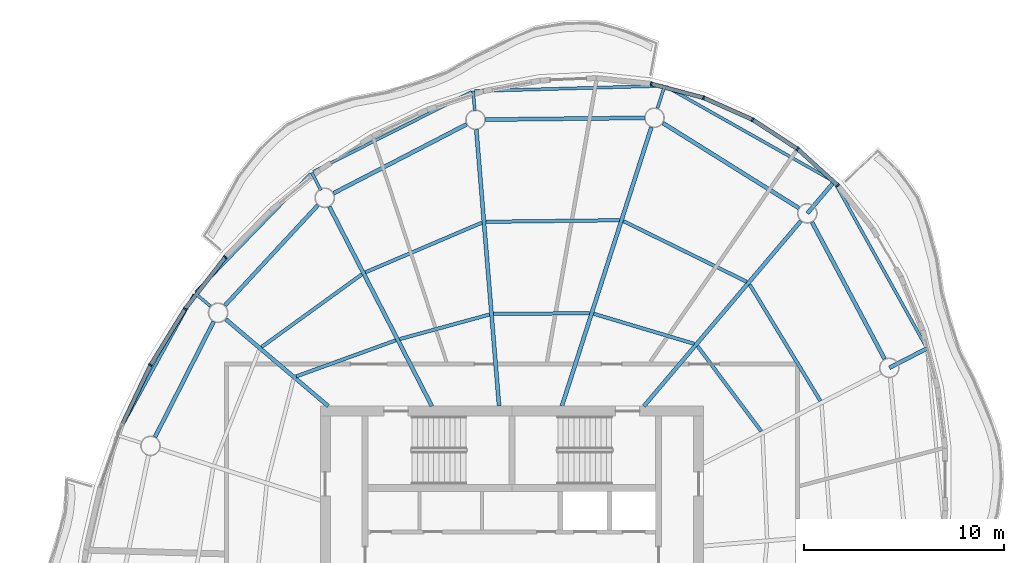
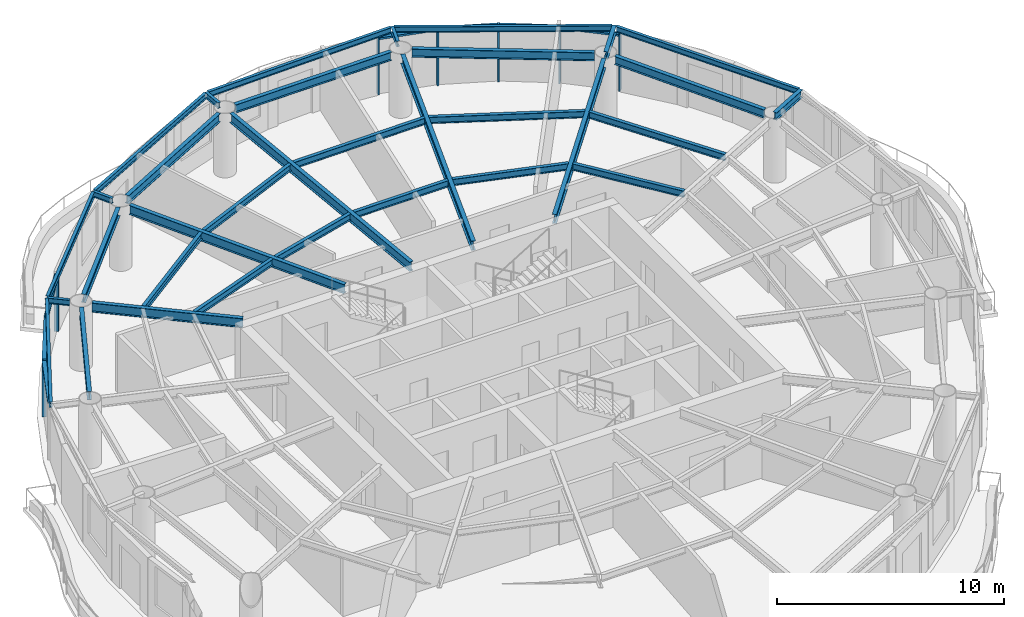
# One storey, part 5 of 13: 33 beams, 15 members, 7 elements without a shape of their own.
"""IFC4 building model written with IfcOpenShell, lengths in metres."""

from ifc_helpers import new_model, si_unit, direction, frame, origin, origin_2d, place, context, subcontext, project, spatial, rectangle, i_section, extrude, material, material_profile, profile_set, type_object, element, aggregate, save


model = new_model("IFC4")

# Units and contexts
model_context = context("Model", 3, precision=1e-05, world=origin(), true_north=direction((0.0, 1.0)))
body_context = subcontext(model_context, "Body", "Model", "MODEL_VIEW")
ifc_project = project(units=[si_unit("LENGTHUNIT", "METRE"), si_unit("AREAUNIT", "SQUARE_METRE"), si_unit("VOLUMEUNIT", "CUBIC_METRE"), si_unit("PLANEANGLEUNIT", "RADIAN"), si_unit("MASSUNIT", "GRAM", prefix="KILO")], contexts=[model_context])

# Site, building, storey
site_placement = place(None, origin())
site = spatial("IfcSite", under=ifc_project, at=site_placement, CompositionType="ELEMENT")
building_placement = place(site_placement, origin())
building = spatial("IfcBuilding", under=site, at=building_placement, Name="Vermilion Reach Broadcast Tower", CompositionType="ELEMENT")
storey_placement = place(building_placement, frame((0.0, 0.0, 279.300048828125)))
storey = spatial("IfcBuildingStorey", under=building, at=storey_placement, Name="L69", CompositionType="ELEMENT", Elevation=279.300048828125)

# Beams
ifc_material_1 = material(Name="Steel S355J2", Category="steel")
ifc_material_profile_1 = material_profile(ifc_material_1, i_section(OverallWidth=0.14990234375, OverallDepth=0.300048828125, WebThickness=0.006591796875, FlangeThickness=0.009033203125, at=origin_2d()), Name="S355J2 HN 300x150x6.5x9")
ifc_profile_set_1 = profile_set([ifc_material_profile_1], Name="Steel S355J2")
beam_type_1 = type_object("IfcBeamType", Name="EB5 HN 300x150x6.5x9", PredefinedType="BEAM", material=ifc_profile_set_1)
beam_1_placement = place(storey_placement, frame((1.572509765625, 23.84521484375, 3.300048828125), z_axis=(-0.999615933964, -0.027712534427, 0.0), x_axis=(0.027712534427, -0.999615933964, 0.0)))
element("IfcBeam", 1, at=beam_1_placement, inside=storey, type_object=beam_type_1, Name="Edge beam EB5-01", PredefinedType="BEAM", context=body_context, shape_type="SweptSolid", body=[
    extrude(i_section(OverallWidth=0.14990234375, OverallDepth=0.300048828125, WebThickness=0.006591796875, FlangeThickness=0.009033203125, at=origin_2d()), origin(), (0.0, 0.0, 1.0), 9.444091796875),
])
beam_2_placement = place(storey_placement, frame((-8.01513671875, 23.544921875, 3.300048828125), z_axis=(-0.892747421544, -0.450557478382, 0.0), x_axis=(0.450557478382, -0.892747421544, 0.0)))
element("IfcBeam", 2, at=beam_2_placement, inside=storey, type_object=beam_type_1, Name="Edge beam EB5-02", PredefinedType="BEAM", context=body_context, shape_type="SweptSolid", body=[
    extrude(i_section(OverallWidth=0.14990234375, OverallDepth=0.300048828125, WebThickness=0.006591796875, FlangeThickness=0.009033203125, at=origin_2d()), origin(), (0.0, 0.0, 1.0), 8.89892578125),
])
beam_3_placement = place(storey_placement, frame((-16.081787109375, 19.444580078125, 3.300048828125), z_axis=(-0.695900090225, -0.718138610872, 0.0), x_axis=(0.718138610872, -0.695900090225, 0.0)))
element("IfcBeam", 3, at=beam_3_placement, inside=storey, type_object=beam_type_1, Name="Edge beam EB5-03", PredefinedType="BEAM", context=body_context, shape_type="SweptSolid", body=[
    extrude(i_section(OverallWidth=0.14990234375, OverallDepth=0.300048828125, WebThickness=0.006591796875, FlangeThickness=0.009033203125, at=origin_2d()), origin(), (0.0, 0.0, 1.0), 8.255615234375),
])
beam_4_placement = place(storey_placement, frame((-21.916259765625, 13.394775390625, 3.300048828125), z_axis=(-0.481560900409, -0.87641263067, 0.0), x_axis=(0.87641263067, -0.481560900409, 0.0)))
element("IfcBeam", 4, at=beam_4_placement, inside=storey, type_object=beam_type_1, Name="Edge beam EB5-04", PredefinedType="BEAM", context=body_context, shape_type="SweptSolid", body=[
    extrude(i_section(OverallWidth=0.14990234375, OverallDepth=0.300048828125, WebThickness=0.006591796875, FlangeThickness=0.009033203125, at=origin_2d()), origin(), (0.0, 0.0, 1.0), 7.962646484375),
])
beam_5_placement = place(storey_placement, frame((14.74755859375, 10.77978515625, 3.300048828125), z_axis=(-0.486283254384, 0.87380123398, 0.0), x_axis=(-0.87380123398, -0.486283254384, 0.0)))
element("IfcBeam", 5, at=beam_5_placement, inside=storey, type_object=beam_type_1, Name="Edge beam EB5-15", PredefinedType="BEAM", context=body_context, shape_type="SweptSolid", body=[
    extrude(i_section(OverallWidth=0.14990234375, OverallDepth=0.300048828125, WebThickness=0.006591796875, FlangeThickness=0.009033203125, at=origin_2d()), origin(), (0.0, 0.0, 1.0), 9.353759765625),
])
beam_6_placement = place(storey_placement, frame((10.058349609375, 19.0966796875, 3.300048828125), z_axis=(-0.87059843742, 0.491994269034, 0.0), x_axis=(-0.491994269034, -0.87059843742, 0.0)))
element("IfcBeam", 6, at=beam_6_placement, inside=storey, type_object=beam_type_1, Name="Edge beam EB5-16", PredefinedType="BEAM", context=body_context, shape_type="SweptSolid", body=[
    extrude(i_section(OverallWidth=0.14990234375, OverallDepth=0.300048828125, WebThickness=0.006591796875, FlangeThickness=0.009033203125, at=origin_2d()), origin(), (0.0, 0.0, 1.0), 9.5791015625),
])
ifc_material_2 = material(Name="Steel S355J2", Category="steel")
ifc_material_profile_2 = material_profile(ifc_material_2, i_section(OverallWidth=0.199951171875, OverallDepth=0.5, WebThickness=0.010009765625, FlangeThickness=0.01611328125, at=origin_2d()), Name="S355J2 HN 500x200x10x16")
ifc_profile_set_2 = profile_set([ifc_material_profile_2], Name="Steel S355J2")
beam_type_2 = type_object("IfcBeamType", Name="G5 HN 500x200x10x16", PredefinedType="BEAM", material=ifc_profile_set_2)
beam_7_placement = place(storey_placement, frame((-3.497314453125, 7.800048828125, 3.199951171875), z_axis=(0.305545401295, 0.952177508528, 0.0), x_axis=(-0.952177508528, 0.305545401295, 0.0)))
element("IfcBeam", 7, at=beam_7_placement, inside=storey, type_object=beam_type_2, Name="Girder G5-01", PredefinedType="BEAM", context=body_context, shape_type="SweptSolid", body=[
    extrude(i_section(OverallWidth=0.199951171875, OverallDepth=0.5, WebThickness=0.010009765625, FlangeThickness=0.01611328125, at=origin_2d()), origin(), (0.0, 0.0, 1.0), 14.672607421875),
])
beam_8_placement = place(storey_placement, frame((-6.642578125, 7.800048828125, 3.199951171875), z_axis=(-0.082123744247, 0.996622140347, 0.0), x_axis=(-0.996622140347, -0.082123744247, 0.0)))
element("IfcBeam", 8, at=beam_8_placement, inside=storey, type_object=beam_type_2, Name="Girder G5-02", PredefinedType="BEAM", context=body_context, shape_type="SweptSolid", body=[
    extrude(i_section(OverallWidth=0.199951171875, OverallDepth=0.5, WebThickness=0.010009765625, FlangeThickness=0.01611328125, at=origin_2d()), origin(), (0.0, 0.0, 1.0), 13.89794921875),
])
beam_9_placement = place(storey_placement, frame((-10.010498046875, 7.800048828125, 3.199951171875), z_axis=(-0.457258168112, 0.889334002327, 0.0), x_axis=(-0.889334002327, -0.457258168112, 0.0)))
element("IfcBeam", 9, at=beam_9_placement, inside=storey, type_object=beam_type_2, Name="Girder G5-03", PredefinedType="BEAM", context=body_context, shape_type="SweptSolid", body=[
    extrude(i_section(OverallWidth=0.199951171875, OverallDepth=0.5, WebThickness=0.010009765625, FlangeThickness=0.01611328125, at=origin_2d()), origin(), (0.0, 0.0, 1.0), 11.236328125),
])
beam_10_placement = place(storey_placement, frame((-15.20068359375, 7.800048828125, 3.199951171875), z_axis=(-0.762793125612, 0.646642596431, 0.0), x_axis=(-0.646642596431, -0.762793125612, 0.0)))
element("IfcBeam", 10, at=beam_10_placement, inside=storey, type_object=beam_type_2, Name="Girder G5-04", PredefinedType="BEAM", context=body_context, shape_type="SweptSolid", body=[
    extrude(i_section(OverallWidth=0.199951171875, OverallDepth=0.5, WebThickness=0.010009765625, FlangeThickness=0.01611328125, at=origin_2d()), origin(), (0.0, 0.0, 1.0), 6.732421875),
])
beam_11_placement = place(storey_placement, frame((0.612548828125, 7.800048828125, 3.199951171875), z_axis=(0.646658335602, 0.762779782766, 0.0), x_axis=(-0.762779782766, 0.646658335602, 0.0)))
element("IfcBeam", 11, at=beam_11_placement, inside=storey, type_object=beam_type_2, Name="Girder G5-16", PredefinedType="BEAM", context=body_context, shape_type="SweptSolid", body=[
    extrude(i_section(OverallWidth=0.199951171875, OverallDepth=0.5, WebThickness=0.010009765625, FlangeThickness=0.01611328125, at=origin_2d()), origin(), (0.0, 0.0, 1.0), 12.16064453125),
])
ifc_material_3 = material(Name="Steel S355J2", Category="steel")
ifc_material_profile_3 = material_profile(ifc_material_3, i_section(OverallWidth=0.199951171875, OverallDepth=0.39990234375, WebThickness=0.008056640625, FlangeThickness=0.012939453125, at=origin_2d()), Name="S355J2 HN 400x200x8x13")
ifc_profile_set_3 = profile_set([ifc_material_profile_3], Name="Steel S355J2")
beam_type_3 = type_object("IfcBeamType", Name="GC5 HN 400x200x8x13", PredefinedType="BEAM", material=ifc_profile_set_3)
beam_12_placement = place(storey_placement, frame((12.905517578125, 9.72021484375, 3.25), z_axis=(0.889341170054, 0.457244227134, 0.0), x_axis=(-0.457244227134, 0.889341170054, 0.0)))
element("IfcBeam", 12, at=beam_12_placement, inside=storey, type_object=beam_type_3, Name="Cantilever girder GC5-15", PredefinedType="BEAM", context=body_context, shape_type="SweptSolid", body=[
    extrude(i_section(OverallWidth=0.199951171875, OverallDepth=0.39990234375, WebThickness=0.008056640625, FlangeThickness=0.012939453125, at=origin_2d()), origin(), (0.0, 0.0, 1.0), 2.126220703125),
])
beam_13_placement = place(storey_placement, frame((8.799560546875, 17.457275390625, 3.25), z_axis=(0.646661540253, 0.762777065962, 0.0), x_axis=(-0.762777065962, 0.646661540253, 0.0)))
element("IfcBeam", 13, at=beam_13_placement, inside=storey, type_object=beam_type_3, Name="Cantilever girder GC5-16", PredefinedType="BEAM", context=body_context, shape_type="SweptSolid", body=[
    extrude(i_section(OverallWidth=0.199951171875, OverallDepth=0.39990234375, WebThickness=0.008056640625, FlangeThickness=0.012939453125, at=origin_2d()), origin(), (0.0, 0.0, 1.0), 2.083740234375),
])
ifc_material_4 = material(Name="Steel S355J2", Category="steel")
ifc_material_profile_4 = material_profile(ifc_material_4, i_section(OverallWidth=0.14990234375, OverallDepth=0.300048828125, WebThickness=0.006591796875, FlangeThickness=0.009033203125, at=origin_2d()), Name="S355J2 HN 300x150x6.5x9")
ifc_profile_set_4 = profile_set([ifc_material_profile_4], Name="Steel S355J2")
beam_type_4 = type_object("IfcBeamType", Name="GS5 HN 300x150x6.5x9", PredefinedType="BEAM", material=ifc_profile_set_4)
beam_14_placement = place(storey_placement, frame((1.291259765625, 22.72314453125, 3.300048828125), z_axis=(0.305413404143, 0.952219855165, 0.0), x_axis=(-0.952219855165, 0.305413404143, 0.0)))
element("IfcBeam", 14, at=beam_14_placement, inside=storey, type_object=beam_type_4, Name="Cantilever stub GS5-01", PredefinedType="BEAM", context=body_context, shape_type="SweptSolid", body=[
    extrude(i_section(OverallWidth=0.14990234375, OverallDepth=0.300048828125, WebThickness=0.006591796875, FlangeThickness=0.009033203125, at=origin_2d()), origin(), (0.0, 0.0, 1.0), 1.1806640625),
])
beam_15_placement = place(storey_placement, frame((-7.86083984375, 22.584716796875, 3.300048828125), z_axis=(-0.082035152054, 0.996629436565, 0.0), x_axis=(-0.996629436565, -0.082035152054, 0.0)))
element("IfcBeam", 15, at=beam_15_placement, inside=storey, type_object=beam_type_4, Name="Cantilever stub GS5-02", PredefinedType="BEAM", context=body_context, shape_type="SweptSolid", body=[
    extrude(i_section(OverallWidth=0.14990234375, OverallDepth=0.300048828125, WebThickness=0.006591796875, FlangeThickness=0.009033203125, at=origin_2d()), origin(), (0.0, 0.0, 1.0), 1.0),
])
beam_16_placement = place(storey_placement, frame((-15.569580078125, 18.6123046875, 3.300048828125), z_axis=(-0.457342495391, 0.889290639729, 0.0), x_axis=(-0.889290639729, -0.457342495391, 0.0)))
element("IfcBeam", 16, at=beam_16_placement, inside=storey, type_object=beam_type_4, Name="Cantilever stub GS5-03", PredefinedType="BEAM", context=body_context, shape_type="SweptSolid", body=[
    extrude(i_section(OverallWidth=0.14990234375, OverallDepth=0.300048828125, WebThickness=0.006591796875, FlangeThickness=0.009033203125, at=origin_2d()), origin(), (0.0, 0.0, 1.0), 0.999755859375),
])
beam_17_placement = place(storey_placement, frame((-21.098876953125, 12.80029296875, 3.300048828125), z_axis=(-0.762815807561, 0.646615839378, 0.0), x_axis=(-0.646615839378, -0.762815807561, 0.0)))
element("IfcBeam", 17, at=beam_17_placement, inside=storey, type_object=beam_type_4, Name="Cantilever stub GS5-04", PredefinedType="BEAM", context=body_context, shape_type="SweptSolid", body=[
    extrude(i_section(OverallWidth=0.14990234375, OverallDepth=0.300048828125, WebThickness=0.006591796875, FlangeThickness=0.009033203125, at=origin_2d()), origin(), (0.0, 0.0, 1.0), 1.023193359375),
])
ifc_material_5 = material(Name="Steel S355J2", Category="steel")
ifc_material_profile_5 = material_profile(ifc_material_5, i_section(OverallWidth=0.199951171875, OverallDepth=0.449951171875, WebThickness=0.009033203125, FlangeThickness=0.013916015625, at=origin_2d()), Name="S355J2 HN 450x200x9x14")
ifc_profile_set_5 = profile_set([ifc_material_profile_5], Name="Steel S355J2")
beam_type_5 = type_object("IfcBeamType", Name="RB5 HN 450x200x9x14", PredefinedType="BEAM", material=ifc_profile_set_5)
beam_18_placement = place(storey_placement, frame((0.638427734375, 22.24169921875, 3.224853515625), z_axis=(-0.999940445231, -0.010913569149, 0.0), x_axis=(0.010913569149, -0.999940445231, 0.0)))
element("IfcBeam", 18, at=beam_18_placement, inside=storey, type_object=beam_type_5, Name="Ring beam RB5-01", PredefinedType="BEAM", context=body_context, shape_type="SweptSolid", body=[
    extrude(i_section(OverallWidth=0.199951171875, OverallDepth=0.449951171875, WebThickness=0.009033203125, FlangeThickness=0.013916015625, at=origin_2d()), origin(), (0.0, 0.0, 1.0), 7.9638671875),
])
beam_19_placement = place(storey_placement, frame((-8.268798828125, 21.91943359375, 3.224853515625), z_axis=(-0.887960248279, -0.459920207729, 0.0), x_axis=(0.459920207729, -0.887960248279, 0.0)))
element("IfcBeam", 19, at=beam_19_placement, inside=storey, type_object=beam_type_5, Name="Ring beam RB5-02", PredefinedType="BEAM", context=body_context, shape_type="SweptSolid", body=[
    extrude(i_section(OverallWidth=0.199951171875, OverallDepth=0.449951171875, WebThickness=0.009033203125, FlangeThickness=0.013916015625, at=origin_2d()), origin(), (0.0, 0.0, 1.0), 7.5048828125),
])
beam_20_placement = place(storey_placement, frame((-15.716796875, 17.87109375, 3.224853515625), z_axis=(-0.679837550075, -0.733362738014, 0.0), x_axis=(0.733362738014, -0.679837550075, 0.0)))
element("IfcBeam", 20, at=beam_20_placement, inside=storey, type_object=beam_type_5, Name="Ring beam RB5-03", PredefinedType="BEAM", context=body_context, shape_type="SweptSolid", body=[
    extrude(i_section(OverallWidth=0.199951171875, OverallDepth=0.449951171875, WebThickness=0.009033203125, FlangeThickness=0.013916015625, at=origin_2d()), origin(), (0.0, 0.0, 1.0), 6.85546875),
])
beam_21_placement = place(storey_placement, frame((-20.944091796875, 12.03125, 3.224853515625), z_axis=(-0.453052302855, -0.891483937532, 0.0), x_axis=(0.891483937532, -0.453052302855, 0.0)))
element("IfcBeam", 21, at=beam_21_placement, inside=storey, type_object=beam_type_5, Name="Ring beam RB5-04", PredefinedType="BEAM", context=body_context, shape_type="SweptSolid", body=[
    extrude(i_section(OverallWidth=0.199951171875, OverallDepth=0.449951171875, WebThickness=0.009033203125, FlangeThickness=0.013916015625, at=origin_2d()), origin(), (0.0, 0.0, 1.0), 6.47900390625),
])
beam_22_placement = place(storey_placement, frame((12.671142578125, 10.161865234375, 3.224853515625), z_axis=(-0.468767917375, 0.883321368269, 0.0), x_axis=(-0.883321368269, -0.468767917375, 0.0)))
element("IfcBeam", 22, at=beam_22_placement, inside=storey, type_object=beam_type_5, Name="Ring beam RB5-15", PredefinedType="BEAM", context=body_context, shape_type="SweptSolid", body=[
    extrude(i_section(OverallWidth=0.199951171875, OverallDepth=0.449951171875, WebThickness=0.009033203125, FlangeThickness=0.013916015625, at=origin_2d()), origin(), (0.0, 0.0, 1.0), 7.759033203125),
])
beam_23_placement = place(storey_placement, frame((8.375732421875, 17.722412109375, 3.224853515625), z_axis=(-0.847914653245, 0.530132757724, 0.0), x_axis=(-0.530132757724, -0.847914653245, 0.0)))
element("IfcBeam", 23, at=beam_23_placement, inside=storey, type_object=beam_type_5, Name="Ring beam RB5-16", PredefinedType="BEAM", context=body_context, shape_type="SweptSolid", body=[
    extrude(i_section(OverallWidth=0.199951171875, OverallDepth=0.449951171875, WebThickness=0.009033203125, FlangeThickness=0.013916015625, at=origin_2d()), origin(), (0.0, 0.0, 1.0), 8.035400390625),
])
ifc_material_6 = material(Name="Steel S355J2", Category="steel")
ifc_material_profile_6 = material_profile(ifc_material_6, i_section(OverallWidth=0.175048828125, OverallDepth=0.35009765625, WebThickness=0.007080078125, FlangeThickness=0.010986328125, at=origin_2d()), Name="S355J2 HN 350x175x7x11")
ifc_profile_set_6 = profile_set([ifc_material_profile_6], Name="Steel S355J2")
beam_type_6 = type_object("IfcBeamType", Name="SB5 HN 350x175x7x11", PredefinedType="BEAM", material=ifc_profile_set_6)
beam_24_placement = place(storey_placement, frame((-2.108154296875, 12.4560546875, 3.27490234375), z_axis=(-0.999968312294, -0.007960804474, 0.0), x_axis=(0.007960804474, -0.999968312294, 0.0)))
element("IfcBeam", 24, at=beam_24_placement, inside=storey, type_object=beam_type_6, Name="Secondary beam SB5-01-1", PredefinedType="BEAM", context=body_context, shape_type="SweptSolid", body=[
    extrude(i_section(OverallWidth=0.175048828125, OverallDepth=0.35009765625, WebThickness=0.007080078125, FlangeThickness=0.010986328125, at=origin_2d()), origin(), (0.0, 0.0, 1.0), 4.81494140625),
])
beam_25_placement = place(storey_placement, frame((-0.614013671875, 17.11279296875, 3.27490234375), z_axis=(-0.999932654133, -0.011605481368, 0.0), x_axis=(0.011605481368, -0.999932654133, 0.0)))
element("IfcBeam", 25, at=beam_25_placement, inside=storey, type_object=beam_type_6, Name="Secondary beam SB5-01-2", PredefinedType="BEAM", context=body_context, shape_type="SweptSolid", body=[
    extrude(i_section(OverallWidth=0.175048828125, OverallDepth=0.35009765625, WebThickness=0.007080078125, FlangeThickness=0.010986328125, at=origin_2d()), origin(), (0.0, 0.0, 1.0), 6.689697265625),
])
beam_26_placement = place(storey_placement, frame((-7.12109375, 12.39013671875, 3.27490234375), z_axis=(-0.964547496851, -0.263909314573, 0.0), x_axis=(0.263909314573, -0.964547496851, 0.0)))
element("IfcBeam", 26, at=beam_26_placement, inside=storey, type_object=beam_type_6, Name="Secondary beam SB5-02-1", PredefinedType="BEAM", context=body_context, shape_type="SweptSolid", body=[
    extrude(i_section(OverallWidth=0.175048828125, OverallDepth=0.35009765625, WebThickness=0.007080078125, FlangeThickness=0.010986328125, at=origin_2d()), origin(), (0.0, 0.0, 1.0), 4.6689453125),
])
beam_27_placement = place(storey_placement, frame((-7.50048828125, 16.99267578125, 3.27490234375), z_axis=(-0.919880986172, -0.392197617637, 0.0), x_axis=(0.392197617637, -0.919880986172, 0.0)))
element("IfcBeam", 27, at=beam_27_placement, inside=storey, type_object=beam_type_6, Name="Secondary beam SB5-02-2", PredefinedType="BEAM", context=body_context, shape_type="SweptSolid", body=[
    extrude(i_section(OverallWidth=0.175048828125, OverallDepth=0.35009765625, WebThickness=0.007080078125, FlangeThickness=0.010986328125, at=origin_2d()), origin(), (0.0, 0.0, 1.0), 6.351806640625),
])
beam_28_placement = place(storey_placement, frame((-11.81787109375, 11.0966796875, 3.27490234375), z_axis=(-0.940220108875, -0.340567389613, 0.0), x_axis=(0.340567389613, -0.940220108875, 0.0)))
element("IfcBeam", 28, at=beam_28_placement, inside=storey, type_object=beam_type_6, Name="Secondary beam SB5-03-1", PredefinedType="BEAM", context=body_context, shape_type="SweptSolid", body=[
    extrude(i_section(OverallWidth=0.175048828125, OverallDepth=0.35009765625, WebThickness=0.007080078125, FlangeThickness=0.010986328125, at=origin_2d()), origin(), (0.0, 0.0, 1.0), 5.303466796875),
])
beam_29_placement = place(storey_placement, frame((-13.517578125, 14.402587890625, 3.27490234375), z_axis=(-0.809771251518, -0.586745703192, 0.0), x_axis=(0.586745703192, -0.809771251518, 0.0)))
element("IfcBeam", 29, at=beam_29_placement, inside=storey, type_object=beam_type_6, Name="Secondary beam SB5-03-2", PredefinedType="BEAM", context=body_context, shape_type="SweptSolid", body=[
    extrude(i_section(OverallWidth=0.175048828125, OverallDepth=0.35009765625, WebThickness=0.007080078125, FlangeThickness=0.010986328125, at=origin_2d()), origin(), (0.0, 0.0, 1.0), 6.20361328125),
])
beam_30_placement = place(storey_placement, frame((6.492919921875, 6.53564453125, 3.27490234375), z_axis=(-0.599055582645, 0.800707442767, 0.0), x_axis=(-0.800707442767, -0.599055582645, 0.0)))
element("IfcBeam", 30, at=beam_30_placement, inside=storey, type_object=beam_type_6, Name="Secondary beam SB5-15-1", PredefinedType="BEAM", context=body_context, shape_type="SweptSolid", body=[
    extrude(i_section(OverallWidth=0.175048828125, OverallDepth=0.35009765625, WebThickness=0.007080078125, FlangeThickness=0.010986328125, at=origin_2d()), origin(), (0.0, 0.0, 1.0), 5.337890625),
])
beam_31_placement = place(storey_placement, frame((9.455078125, 8.058837890625, 3.27490234375), z_axis=(-0.519272962556, 0.854608442714, 0.0), x_axis=(-0.854608442714, -0.519272962556, 0.0)))
element("IfcBeam", 31, at=beam_31_placement, inside=storey, type_object=beam_type_6, Name="Secondary beam SB5-15-2", PredefinedType="BEAM", context=body_context, shape_type="SweptSolid", body=[
    extrude(i_section(OverallWidth=0.175048828125, OverallDepth=0.35009765625, WebThickness=0.007080078125, FlangeThickness=0.010986328125, at=origin_2d()), origin(), (0.0, 0.0, 1.0), 6.82763671875),
])
beam_32_placement = place(storey_placement, frame((3.129150390625, 10.92333984375, 3.27490234375), z_axis=(-0.958124906971, 0.286350593925, 0.0), x_axis=(-0.286350593925, -0.958124906971, 0.0)))
element("IfcBeam", 32, at=beam_32_placement, inside=storey, type_object=beam_type_6, Name="Secondary beam SB5-16-1", PredefinedType="BEAM", context=body_context, shape_type="SweptSolid", body=[
    extrude(i_section(OverallWidth=0.175048828125, OverallDepth=0.35009765625, WebThickness=0.007080078125, FlangeThickness=0.010986328125, at=origin_2d()), origin(), (0.0, 0.0, 1.0), 5.25634765625),
])
beam_33_placement = place(storey_placement, frame((5.762451171875, 14.029541015625, 3.27490234375), z_axis=(-0.897335928087, 0.441348198325, 0.0), x_axis=(-0.441348198325, -0.897335928087, 0.0)))
element("IfcBeam", 33, at=beam_33_placement, inside=storey, type_object=beam_type_6, Name="Secondary beam SB5-16-2", PredefinedType="BEAM", context=body_context, shape_type="SweptSolid", body=[
    extrude(i_section(OverallWidth=0.175048828125, OverallDepth=0.35009765625, WebThickness=0.007080078125, FlangeThickness=0.010986328125, at=origin_2d()), origin(), (0.0, 0.0, 1.0), 6.887451171875),
])

# Curtain wall, member
ifc_material_7 = material(Name="Low-e laminated clear glass in aluminium frame", Category="aluminium")
curtain_wall_type = type_object("IfcCurtainWallType", Name="Slot curtain wall", PredefinedType="NOTDEFINED", material=ifc_material_7)
placement = place(storey_placement, origin())
curtain_wall_1 = element("IfcCurtainWall", 34, at=placement, inside=storey, type_object=curtain_wall_type, Name="Slot curtain wall L69 46", PredefinedType="NOTDEFINED")
ifc_material_8 = material(Name="Anodised aluminium", Category="aluminium")
ifc_material_profile_7 = material_profile(ifc_material_8, rectangle(XDim=0.199951171875, YDim=0.080078125, at=origin_2d()), Name="Slot mullion 80 x 200")
ifc_profile_set_7 = profile_set([ifc_material_profile_7], Name="Anodised aluminium")
member_type_1 = type_object("IfcMemberType", Name="Slot mullion 80 x 200", PredefinedType="MULLION", material=ifc_profile_set_7)
member_1_placement = place(storey_placement, frame((10.3212890625, 18.8583984375, 0.0), z_axis=(0.0, 0.0, 1.0), x_axis=(-0.726976193155, -0.686662664331, 0.0)))
member_1 = element("IfcMember", 35, at=member_1_placement, type_object=member_type_1, Name="Slot mullion L69 46", PredefinedType="MULLION", context=body_context, shape_type="SweptSolid", body=[
    extrude(rectangle(XDim=0.199951171875, YDim=0.080078125, at=origin_2d()), origin(), (0.0, 0.0, 1.0), 3.050048828125),
])

curtain_wall_2 = element("IfcCurtainWall", 36, at=placement, inside=storey, type_object=curtain_wall_type, Name="Slot curtain wall L69 47", PredefinedType="NOTDEFINED")
member_2_placement = place(storey_placement, frame((8.31103515625, 20.681640625, 0.0), z_axis=(0.0, 0.0, 1.0), x_axis=(-0.611097606406, -0.791555251037, 0.0)))
member_2 = element("IfcMember", 37, at=member_2_placement, type_object=member_type_1, Name="Slot mullion L69 47", PredefinedType="MULLION", context=body_context, shape_type="SweptSolid", body=[
    extrude(rectangle(XDim=0.199951171875, YDim=0.080078125, at=origin_2d()), origin(), (0.0, 0.0, 1.0), 3.050048828125),
])

curtain_wall_3 = element("IfcCurtainWall", 38, at=placement, inside=storey, type_object=curtain_wall_type, Name="Slot curtain wall L69 00", PredefinedType="NOTDEFINED")
member_3_placement = place(storey_placement, frame((6.057861328125, 22.15234375, 0.0), z_axis=(0.0, 0.0, 1.0), x_axis=(-0.478078792224, -0.878316952145, 0.0)))
member_3 = element("IfcMember", 39, at=member_3_placement, type_object=member_type_1, Name="Slot mullion L69 00", PredefinedType="MULLION", context=body_context, shape_type="SweptSolid", body=[
    extrude(rectangle(XDim=0.199951171875, YDim=0.080078125, at=origin_2d()), origin(), (0.0, 0.0, 1.0), 3.050048828125),
])

# Curtain wall, members
curtain_wall_4 = element("IfcCurtainWall", 40, at=placement, inside=storey, type_object=curtain_wall_type, Name="Slot curtain wall L69 01", PredefinedType="NOTDEFINED")
member_4_placement = place(storey_placement, frame((3.599365234375, 23.24609375, 0.0), z_axis=(0.0, 0.0, 1.0), x_axis=(-0.333001962043, -0.94292613352, 0.0)))
member_4 = element("IfcMember", 41, at=member_4_placement, type_object=member_type_1, Name="Slot mullion L69 01", PredefinedType="MULLION", context=body_context, shape_type="SweptSolid", body=[
    extrude(rectangle(XDim=0.199951171875, YDim=0.080078125, at=origin_2d()), origin(), (0.0, 0.0, 1.0), 3.050048828125),
])
member_5_placement = place(storey_placement, frame((0.976806640625, 23.944580078125, 0.0), z_axis=(0.0, 0.0, 1.0), x_axis=(-0.182003965181, -0.983297796529, 0.0)))
member_5 = element("IfcMember", 42, at=member_5_placement, type_object=member_type_1, Name="Slot mullion L69 02", PredefinedType="MULLION", context=body_context, shape_type="SweptSolid", body=[
    extrude(rectangle(XDim=0.199951171875, YDim=0.080078125, at=origin_2d()), origin(), (0.0, 0.0, 1.0), 3.050048828125),
])

# Curtain wall, member
curtain_wall_5 = element("IfcCurtainWall", 43, at=placement, inside=storey, type_object=curtain_wall_type, Name="Slot curtain wall L69 10", PredefinedType="NOTDEFINED")
member_6_placement = place(storey_placement, frame((-20.358154296875, 15.262451171875, 0.0), z_axis=(0.0, 0.0, 1.0), x_axis=(0.755156185837, -0.65554491455, 0.0)))
member_6 = element("IfcMember", 44, at=member_6_placement, type_object=member_type_1, Name="Slot mullion L69 10", PredefinedType="MULLION", context=body_context, shape_type="SweptSolid", body=[
    extrude(rectangle(XDim=0.199951171875, YDim=0.080078125, at=origin_2d()), origin(), (0.0, 0.0, 1.0), 3.050048828125),
])

curtain_wall_6 = element("IfcCurtainWall", 45, at=placement, inside=storey, type_object=curtain_wall_type, Name="Slot curtain wall L69 11", PredefinedType="NOTDEFINED")
member_7_placement = place(storey_placement, frame((-22.3720703125, 12.667724609375, 0.0), z_axis=(0.0, 0.0, 1.0), x_axis=(0.821886411904, -0.569651407377, 0.0)))
member_7 = element("IfcMember", 46, at=member_7_placement, type_object=member_type_1, Name="Slot mullion L69 11", PredefinedType="MULLION", context=body_context, shape_type="SweptSolid", body=[
    extrude(rectangle(XDim=0.199951171875, YDim=0.080078125, at=origin_2d()), origin(), (0.0, 0.0, 1.0), 3.050048828125),
])

curtain_wall_7 = element("IfcCurtainWall", 47, at=placement, inside=storey, type_object=curtain_wall_type, Name="Slot curtain wall L69 12", PredefinedType="NOTDEFINED")
member_8_placement = place(storey_placement, frame((-24.10498046875, 9.854736328125, 0.0), z_axis=(0.0, 0.0, 1.0), x_axis=(0.878317007358, -0.478078690788, 0.0)))
member_8 = element("IfcMember", 48, at=member_8_placement, type_object=member_type_1, Name="Slot mullion L69 12", PredefinedType="MULLION", context=body_context, shape_type="SweptSolid", body=[
    extrude(rectangle(XDim=0.199951171875, YDim=0.080078125, at=origin_2d()), origin(), (0.0, 0.0, 1.0), 3.050048828125),
])

# Member
ifc_material_9 = material(Name="Anodised aluminium", Category="aluminium")
ifc_material_profile_8 = material_profile(ifc_material_9, rectangle(XDim=0.199951171875, YDim=0.10009765625, at=origin_2d()), Name="Slot transom 200 x 100")
ifc_profile_set_8 = profile_set([ifc_material_profile_8], Name="Anodised aluminium")
member_type_2 = type_object("IfcMemberType", Name="Slot transom 200 x 100", PredefinedType="USERDEFINED", material=ifc_profile_set_8)
member_9_placement = place(storey_placement, frame((10.291748046875, 18.88525390625, 3.0), z_axis=(-0.740744777192, 0.671786554691, 0.0), x_axis=(-0.671786554691, -0.740744777192, 0.0)))
member_9 = element("IfcMember", 49, at=member_9_placement, type_object=member_type_2, Name="Slot transom L69 46.1", ObjectType="TRANSOM", PredefinedType="USERDEFINED", context=body_context, shape_type="SweptSolid", body=[
    extrude(rectangle(XDim=0.199951171875, YDim=0.10009765625, at=origin_2d()), origin(), (0.0, 0.0, 1.0), 2.634033203125),
])

aggregate(curtain_wall_1, [member_1, member_9])

member_10_placement = place(storey_placement, frame((8.27734375, 20.703369140625, 3.0), z_axis=(-0.837377961285, 0.546624322505, 0.0), x_axis=(-0.546624322505, -0.837377961285, 0.0)))
member_10 = element("IfcMember", 50, at=member_10_placement, type_object=member_type_2, Name="Slot transom L69 47.1", ObjectType="TRANSOM", PredefinedType="USERDEFINED", context=body_context, shape_type="SweptSolid", body=[
    extrude(rectangle(XDim=0.199951171875, YDim=0.10009765625, at=origin_2d()), origin(), (0.0, 0.0, 1.0), 2.610595703125),
])

aggregate(curtain_wall_2, [member_2, member_10])

member_11_placement = place(storey_placement, frame((6.021240234375, 22.16845703125, 3.0), z_axis=(-0.913645651298, 0.406511529805, 0.0), x_axis=(-0.406511529805, -0.913645651298, 0.0)))
member_11 = element("IfcMember", 51, at=member_11_placement, type_object=member_type_2, Name="Slot transom L69 00.1", ObjectType="TRANSOM", PredefinedType="USERDEFINED", context=body_context, shape_type="SweptSolid", body=[
    extrude(rectangle(XDim=0.199951171875, YDim=0.10009765625, at=origin_2d()), origin(), (0.0, 0.0, 1.0), 2.610595703125),
])

aggregate(curtain_wall_3, [member_3, member_11])

member_12_placement = place(storey_placement, frame((3.560791015625, 23.25634765625, 3.0), z_axis=(-0.96630413455, 0.257403029414, 0.0), x_axis=(-0.257403029414, -0.96630413455, 0.0)))
member_12 = element("IfcMember", 52, at=member_12_placement, type_object=member_type_2, Name="Slot transom L69 01.1", ObjectType="TRANSOM", PredefinedType="USERDEFINED", context=body_context, shape_type="SweptSolid", body=[
    extrude(rectangle(XDim=0.199951171875, YDim=0.10009765625, at=origin_2d()), origin(), (0.0, 0.0, 1.0), 2.634033203125),
])

aggregate(curtain_wall_4, [member_4, member_5, member_12])

member_13_placement = place(storey_placement, frame((-20.382568359375, 15.23095703125, 3.0), z_axis=(-0.613154506769, -0.789963005988, 0.0), x_axis=(0.789963005988, -0.613154506769, 0.0)))
member_13 = element("IfcMember", 53, at=member_13_placement, type_object=member_type_2, Name="Slot transom L69 10.1", ObjectType="TRANSOM", PredefinedType="USERDEFINED", context=body_context, shape_type="SweptSolid", body=[
    extrude(rectangle(XDim=0.199951171875, YDim=0.10009765625, at=origin_2d()), origin(), (0.0, 0.0, 1.0), 3.204833984375),
])

aggregate(curtain_wall_5, [member_6, member_13])

member_14_placement = place(storey_placement, frame((-22.39306640625, 12.633544921875, 3.0), z_axis=(-0.524528355393, -0.851392978823, 0.0), x_axis=(0.851392978823, -0.524528355393, 0.0)))
member_14 = element("IfcMember", 54, at=member_14_placement, type_object=member_type_2, Name="Slot transom L69 11.1", ObjectType="TRANSOM", PredefinedType="USERDEFINED", context=body_context, shape_type="SweptSolid", body=[
    extrude(rectangle(XDim=0.199951171875, YDim=0.10009765625, at=origin_2d()), origin(), (0.0, 0.0, 1.0), 3.2236328125),
])

aggregate(curtain_wall_6, [member_7, member_14])

member_15_placement = place(storey_placement, frame((-24.1220703125, 9.818603515625, 3.0), z_axis=(-0.430321590843, -0.902675649641, 0.0), x_axis=(0.902675649641, -0.430321590843, 0.0)))
member_15 = element("IfcMember", 55, at=member_15_placement, type_object=member_type_2, Name="Slot transom L69 12.1", ObjectType="TRANSOM", PredefinedType="USERDEFINED", context=body_context, shape_type="SweptSolid", body=[
    extrude(rectangle(XDim=0.199951171875, YDim=0.10009765625, at=origin_2d()), origin(), (0.0, 0.0, 1.0), 3.2236328125),
])

aggregate(curtain_wall_7, [member_8, member_15])

save(model, "model.ifc")
